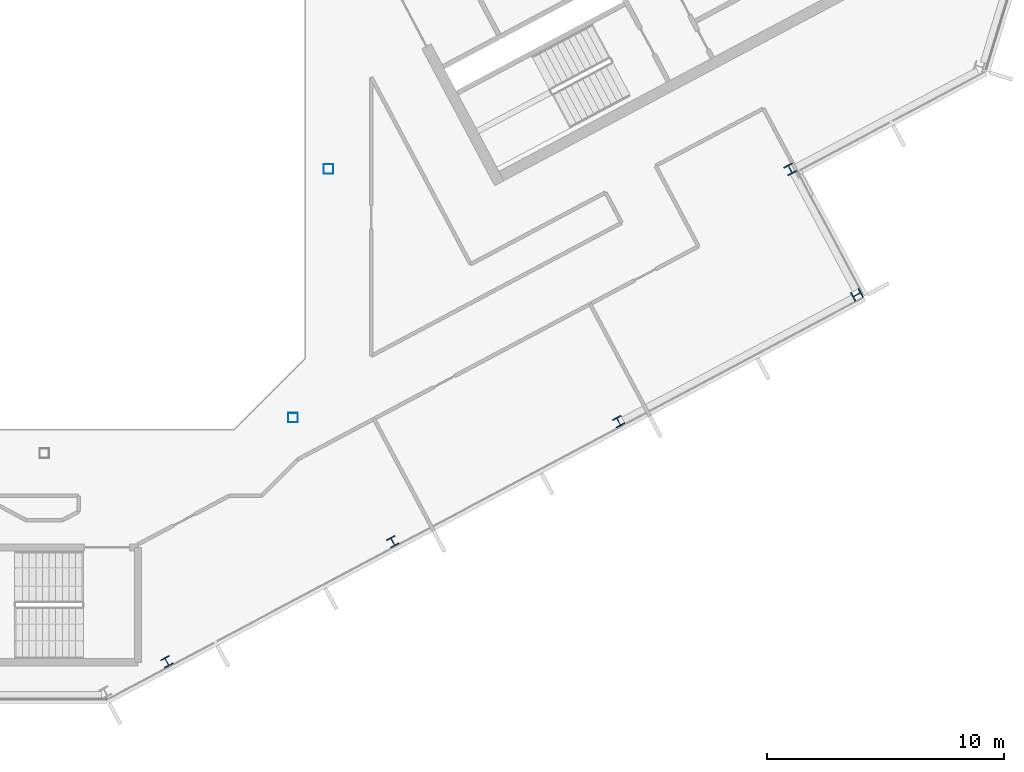
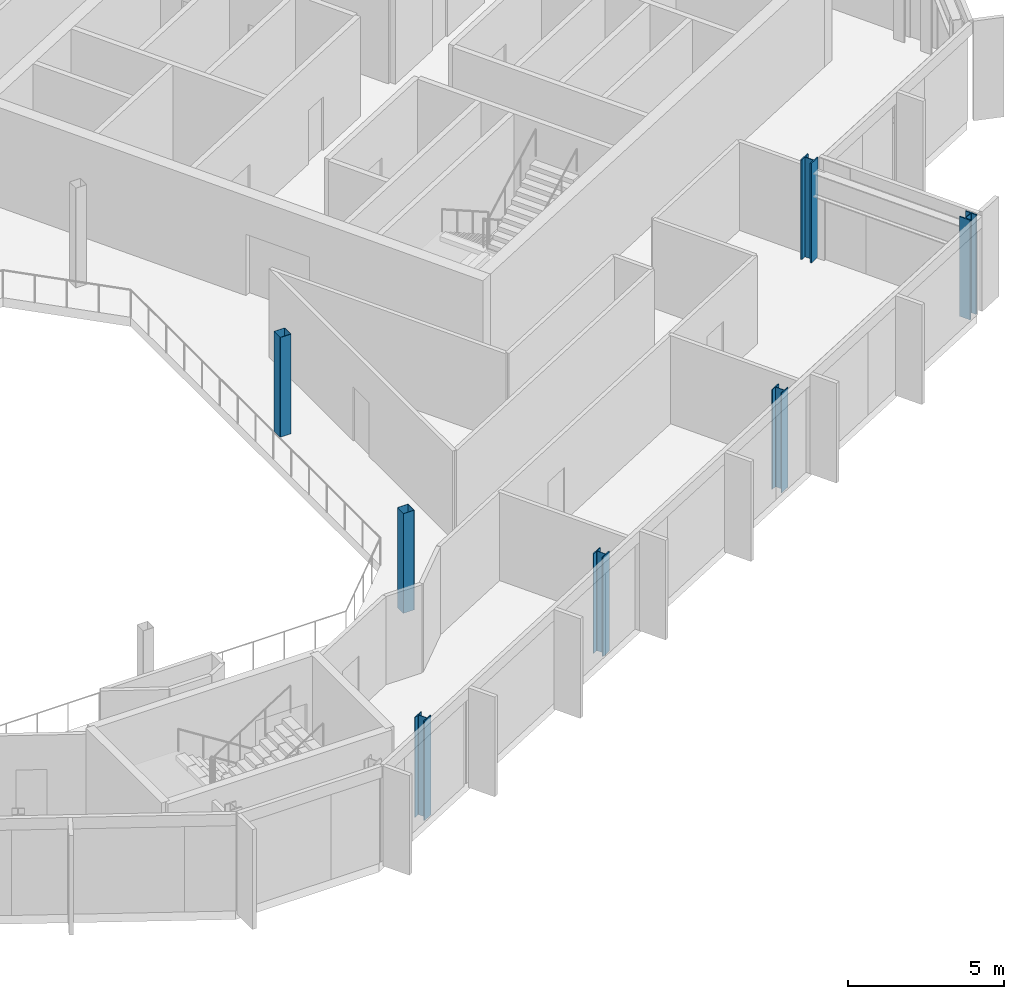
# One storey, part 5 of 26: 7 columns.
"""IFC4 building model written with IfcOpenShell, lengths in metres."""

from ifc_helpers import new_model, si_unit, direction, frame, origin, origin_2d, place, context, subcontext, project, spatial, hollow_rectangle, i_section, extrude, material, material_profile, profile_set, type_object, element, save


model = new_model("IFC4")

# Units and contexts
model_context = context("Model", 3, precision=1e-05, world=origin(), true_north=direction((0.0, 1.0)))
body_context = subcontext(model_context, "Body", "Model", "MODEL_VIEW")
ifc_project = project(units=[si_unit("LENGTHUNIT", "METRE"), si_unit("AREAUNIT", "SQUARE_METRE"), si_unit("VOLUMEUNIT", "CUBIC_METRE"), si_unit("PLANEANGLEUNIT", "RADIAN"), si_unit("MASSUNIT", "GRAM", prefix="KILO")], contexts=[model_context])

# Site, building, storey
site_placement = place(None, origin())
site = spatial("IfcSite", under=ifc_project, at=site_placement, CompositionType="ELEMENT")
building_placement = place(site_placement, origin())
building = spatial("IfcBuilding", under=site, at=building_placement, Name="Cormorant Relay Tower", CompositionType="ELEMENT")
storey_placement = place(building_placement, frame((0.0, 0.0, 316.5)))
storey = spatial("IfcBuildingStorey", under=building, at=storey_placement, Name="L72", CompositionType="ELEMENT", Elevation=316.5)

# Columns
ifc_material_1 = material(Name="Steel ASTM A500 Grade C (Fy 345 MPa)", Category="steel")
ifc_material_profile_1 = material_profile(ifc_material_1, hollow_rectangle(XDim=0.406494140625, YDim=0.406494140625, WallThickness=0.0087890625, InnerFilletRadius=0.00439453125, OuterFilletRadius=0.01318359375, at=origin_2d()), Name="HSS406x406x9")
ifc_profile_set_1 = profile_set([ifc_material_profile_1], Name="Steel ASTM A500 Grade C (Fy 345 MPa)")
column_type_1 = type_object("IfcColumnType", Name="Column HSS406x406x9", PredefinedType="COLUMN", material=ifc_profile_set_1)
for number, where, z_axis, x_axis, name in (
    (1, (10.5, -10.5, 0.0), (0.0, 0.0, 1.0), (1.0, 0.0, 0.0), "Column L72-010"),
    (2, (12.0, 0.0, 0.0), (0.0, 0.0, 1.0), (1.0, 0.0, 0.0), "Column L72-016"),
):
    element("IfcColumn", number, at=place(storey_placement, frame(where, z_axis=z_axis, x_axis=x_axis)), inside=storey, type_object=column_type_1, Name=name, PredefinedType="COLUMN", context=body_context, shape_type="SweptSolid", body=[
        extrude(hollow_rectangle(XDim=0.406494140625, YDim=0.406494140625, WallThickness=0.0087890625, InnerFilletRadius=0.00439453125, OuterFilletRadius=0.01318359375, at=origin_2d()), origin(), (0.0, 0.0, 1.0), 3.89990234375),
    ])
ifc_material_2 = material(Name="Steel ASTM A992 (Fy 345 MPa)", Category="steel")
ifc_material_profile_2 = material_profile(ifc_material_2, i_section(OverallWidth=0.398681640625, OverallDepth=0.385986328125, WebThickness=0.02099609375, FlangeThickness=0.033203125, FilletRadius=0.01513671875, at=origin_2d()), Name="W360x262")
ifc_profile_set_2 = profile_set([ifc_material_profile_2], Name="Steel ASTM A992 (Fy 345 MPa)")
column_type_2 = type_object("IfcColumnType", Name="Column W360x262", PredefinedType="COLUMN", material=ifc_profile_set_2)
for number, where, z_axis, x_axis, name in (
    (3, (5.174072265625, -20.806884765625, 0.0), (0.0, 0.0, 1.0), (0.882947592859, 0.469471562786, 0.0), "Column L72-003"),
    (4, (14.7099609375, -15.736083984375, 0.0), (0.0, 0.0, 1.0), (0.882947592859, 0.469471562786, 0.0), "Column L72-005"),
    (5, (24.2451171875, -10.666015625, 0.0), (0.0, 0.0, 1.0), (0.882947592859, 0.469471562786, 0.0), "Column L72-008"),
):
    element("IfcColumn", number, at=place(storey_placement, frame(where, z_axis=z_axis, x_axis=x_axis)), inside=storey, type_object=column_type_2, Name=name, PredefinedType="COLUMN", context=body_context, shape_type="SweptSolid", body=[
        extrude(i_section(OverallWidth=0.398681640625, OverallDepth=0.385986328125, WebThickness=0.02099609375, FlangeThickness=0.033203125, FilletRadius=0.01513671875, at=origin_2d()), origin(), (0.0, 0.0, 1.0), 3.89990234375),
    ])
ifc_material_3 = material(Name="Steel ASTM A992 (Fy 345 MPa)", Category="steel")
ifc_material_profile_3 = material_profile(ifc_material_3, i_section(OverallWidth=0.40380859375, OverallDepth=0.406494140625, WebThickness=0.027099609375, FlangeThickness=0.043701171875, FilletRadius=0.01513671875, at=origin_2d()), Name="W360x347")
ifc_profile_set_3 = profile_set([ifc_material_profile_3], Name="Steel ASTM A992 (Fy 345 MPa)")
column_type_3 = type_object("IfcColumnType", Name="Column W360x347", PredefinedType="COLUMN", material=ifc_profile_set_3)
for number, where, z_axis, x_axis, name in (
    (6, (34.303955078125, -5.31201171875, 0.0), (0.0, 0.0, 1.0), (-0.469471562786, 0.882947592859, 0.0), "Column L72-012"),
    (7, (31.487060546875, -0.013916015625, 0.0), (0.0, 0.0, 1.0), (0.882947592859, 0.469471562786, 0.0), "Column L72-014"),
):
    element("IfcColumn", number, at=place(storey_placement, frame(where, z_axis=z_axis, x_axis=x_axis)), inside=storey, type_object=column_type_3, Name=name, PredefinedType="COLUMN", context=body_context, shape_type="SweptSolid", body=[
        extrude(i_section(OverallWidth=0.40380859375, OverallDepth=0.406494140625, WebThickness=0.027099609375, FlangeThickness=0.043701171875, FilletRadius=0.01513671875, at=origin_2d()), origin(), (0.0, 0.0, 1.0), 3.89990234375),
    ])

save(model, "model.ifc")
